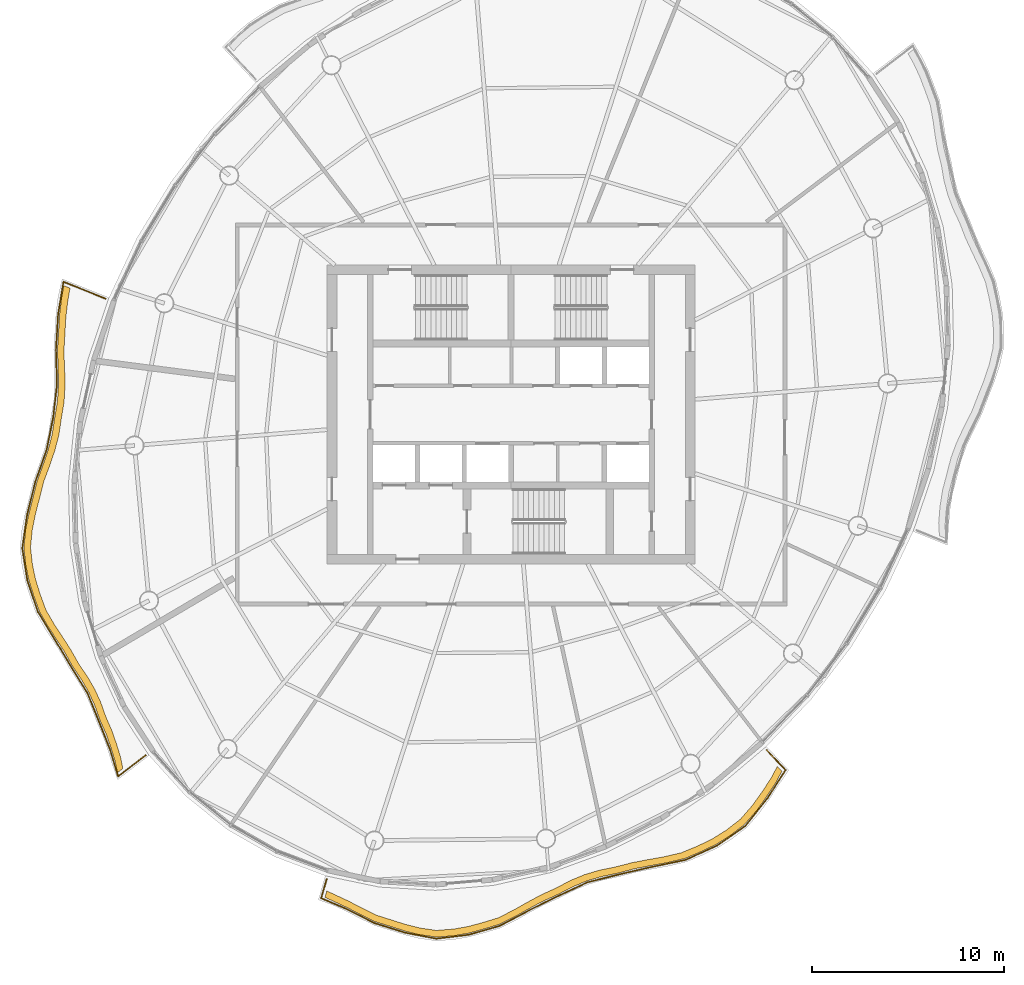
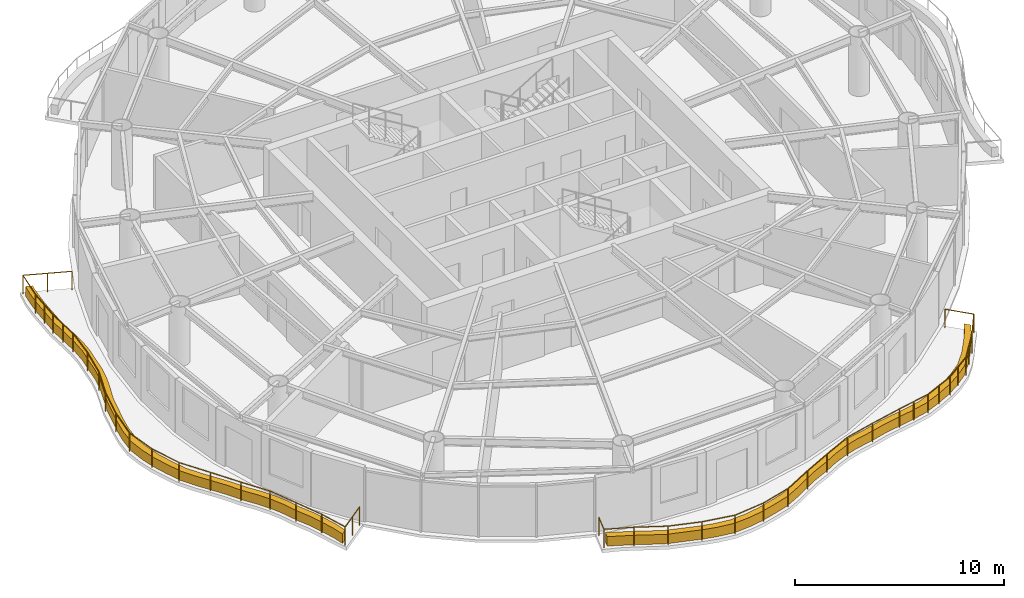
# One storey, part 12 of 14: 2 coverings, 2 railings.
"""IFC4 building model written with IfcOpenShell, lengths in metres."""

from ifc_helpers import new_model, si_unit, direction, frame, origin, origin_2d, place, context, subcontext, project, spatial, polyline, circle, outline, extrude, material, type_object, element, save


model = new_model("IFC4")

# Units and contexts
model_context = context("Model", 3, precision=1e-05, world=origin(), true_north=direction((0.0, 1.0)))
body_context = subcontext(model_context, "Body", "Model", "MODEL_VIEW")
ifc_project = project(units=[si_unit("LENGTHUNIT", "METRE"), si_unit("AREAUNIT", "SQUARE_METRE"), si_unit("VOLUMEUNIT", "CUBIC_METRE"), si_unit("PLANEANGLEUNIT", "RADIAN"), si_unit("MASSUNIT", "GRAM", prefix="KILO")], contexts=[model_context])

# Site, building, storey
site_placement = place(None, origin())
site = spatial("IfcSite", under=ifc_project, at=site_placement, CompositionType="ELEMENT")
building_placement = place(site_placement, origin())
building = spatial("IfcBuilding", under=site, at=building_placement, Name="Vermilion Reach Broadcast Tower", CompositionType="ELEMENT")
storey_placement = place(building_placement, frame((0.0, 0.0, 257.699951171875)))
storey = spatial("IfcBuildingStorey", under=building, at=storey_placement, Name="L63", CompositionType="ELEMENT", Elevation=257.699951171875)

# Coverings
ifc_material_1 = material(Name="Planting soil and greenery")
covering_type = type_object("IfcCoveringType", Name="Balcony PLANTER", PredefinedType="USERDEFINED", material=ifc_material_1)
placement = place(storey_placement, origin())
element("IfcCovering", 1, at=placement, inside=storey, type_object=covering_type, Name="PLANTER L63 group 2", ObjectType="PLANTER", PredefinedType="USERDEFINED", context=body_context, shape_type="SweptSolid", body=[
    extrude(outline(polyline([(-29.35400390625, 6.730712890625), (-29.475341796875, 6.056396484375), (-29.5771484375, 5.199462890625), (-29.627685546875, 4.325439453125), (-29.6875, 3.355224609375), (-29.6494140625, 2.400634765625), (-29.633544921875, 1.547119140625), (-29.68408203125, 0.7080078125), (-29.83154296875, -0.173095703125), (-29.961669921875, -1.039794921875), (-30.16748046875, -1.837646484375), (-30.43896484375, -2.628662109375), (-30.76220703125, -3.51611328125), (-30.981689453125, -4.417724609375), (-31.187255859375, -5.2177734375), (-31.349365234375, -6.01708984375), (-31.44287109375, -6.9697265625), (-31.338134765625, -7.894287109375), (-31.178955078125, -8.65380859375), (-30.9462890625, -9.402099609375), (-30.631591796875, -10.282470703125), (-30.172119140625, -11.0830078125), (-29.738037109375, -11.741943359375), (-29.31201171875, -12.403076171875), (-28.891845703125, -13.159912109375), (-28.42529296875, -13.855224609375), (-28.0546875, -14.49560546875), (-27.748291015625, -15.165283203125), (-27.471435546875, -15.941650390625), (-27.14013671875, -16.687744140625), (-26.895751953125, -17.389404296875), (-26.676513671875, -18.10791015625), (-26.55078125, -18.701904296875), (-26.2734375, -18.488525390625), (-26.383544921875, -17.916259765625), (-26.602783203125, -17.197998046875), (-26.847412109375, -16.49609375), (-27.1650390625, -15.7724609375), (-27.43017578125, -15.01953125), (-27.736572265625, -14.349609375), (-28.107177734375, -13.70947265625), (-28.564208984375, -13.037109375), (-28.9765625, -12.3037109375), (-29.40234375, -11.642578125), (-29.83642578125, -10.98388671875), (-30.2900390625, -10.2060546875), (-30.600341796875, -9.348876953125), (-30.8330078125, -8.600830078125), (-30.9921875, -7.84130859375), (-31.09423828125, -6.938720703125), (-30.999267578125, -6.008544921875), (-30.83740234375, -5.20947265625), (-30.6318359375, -4.4091796875), (-30.41259765625, -3.529052734375), (-30.090576171875, -2.6630859375), (-29.819091796875, -1.871826171875), (-29.61328125, -1.07421875), (-29.48583984375, -0.2275390625), (-29.34228515625, 0.63330078125), (-29.29150390625, 1.472412109375), (-29.3076171875, 2.326171875), (-29.350341796875, 3.261474609375), (-29.29638671875, 4.212646484375), (-29.24560546875, 5.0869140625), (-29.14404296875, 5.94384765625), (-29.029296875, 6.60009765625), (-29.35400390625, 6.730712890625)])), origin(), (0.0, 0.0, 1.0), 0.550048828125),
])
element("IfcCovering", 2, at=placement, inside=storey, type_object=covering_type, Name="PLANTER L63 group 3", ObjectType="PLANTER", PredefinedType="USERDEFINED", context=body_context, shape_type="SweptSolid", body=[
    extrude(outline(polyline([(-15.71728515625, -25.21337890625), (-15.244873046875, -25.429931640625), (-14.5732421875, -25.741943359375), (-13.908935546875, -26.088623046875), (-13.11572265625, -26.478759765625), (-12.2578125, -26.744873046875), (-11.533203125, -26.975341796875), (-10.805908203125, -27.158203125), (-9.90185546875, -27.28955078125), (-8.975830078125, -27.2177734375), (-8.2294921875, -27.087158203125), (-7.48876953125, -26.88916015625), (-6.613525390625, -26.627197265625), (-5.771240234375, -26.2060546875), (-5.06640625, -25.807373046875), (-4.35791015625, -25.42578125), (-3.564453125, -25.06884765625), (-2.7841796875, -24.662353515625), (-2.04931640625, -24.356689453125), (-1.2861328125, -24.129638671875), (-0.42578125, -23.9501953125), (0.45361328125, -23.71875), (1.285400390625, -23.55859375), (2.123046875, -23.40966796875), (3.063232421875, -23.18798828125), (3.96044921875, -22.81201171875), (4.713623046875, -22.444580078125), (5.418701171875, -22.004638671875), (6.185302734375, -21.414794921875), (6.835693359375, -20.66845703125), (7.342041015625, -19.959716796875), (7.825439453125, -19.2236328125), (8.141845703125, -18.62646484375), (7.902099609375, -18.37158203125), (7.599853515625, -18.9560546875), (7.116455078125, -19.692138671875), (6.610107421875, -20.40087890625), (5.97509765625, -21.134765625), (5.224609375, -21.71337890625), (4.51953125, -22.1533203125), (3.766357421875, -22.520751953125), (2.886474609375, -22.885986328125), (1.964111328125, -23.09765625), (1.126708984375, -23.24658203125), (0.294921875, -23.40673828125), (-0.565185546875, -23.629150390625), (-1.40576171875, -23.800537109375), (-2.1689453125, -24.02783203125), (-2.90380859375, -24.333251953125), (-3.662841796875, -24.73291015625), (-4.434326171875, -25.084228515625), (-5.142822265625, -25.4658203125), (-5.84765625, -25.86474609375), (-6.6669921875, -26.28125), (-7.518310546875, -26.54052734375), (-8.25927734375, -26.73828125), (-9.005615234375, -26.869140625), (-9.90673828125, -26.939453125), (-10.785888671875, -26.808837890625), (-11.51318359375, -26.6259765625), (-12.23779296875, -26.3955078125), (-13.069580078125, -26.1318359375), (-13.83740234375, -25.74609375), (-14.50146484375, -25.3994140625), (-15.173095703125, -25.08740234375), (-15.619384765625, -24.87744140625), (-15.71728515625, -25.21337890625)])), origin(), (0.0, 0.0, 1.0), 0.550048828125),
])

# Railings
ifc_material_2 = material(Name="Stainless steel 316 balustrade", Category="steel")
railing_type = type_object("IfcRailingType", Name="Balcony guard 1100", PredefinedType="BALUSTRADE", material=ifc_material_2)
railing_1_placement = place(storey_placement, frame((-27.1748046875, 6.047607421875, 0.0)))
element("IfcRailing", 3, at=railing_1_placement, inside=storey, type_object=railing_type, Name="Balcony guard L63 group 2", PredefinedType="BALUSTRADE", context=body_context, shape_type="SweptSolid", body=[
    extrude(circle(Radius=0.02490234375, at=origin_2d()), frame((0.0, 0.0, 1.0751953125), z_axis=(-0.927699203917, 0.373328524294, 0.0), x_axis=(-0.373328524294, -0.927699203917, 0.0)), (0.0, 0.0, 1.0), 2.36669921875),
    extrude(circle(Radius=0.02490234375, at=origin_2d()), frame((-2.195556640625, 0.883544921875, 1.0751953125), z_axis=(-0.163368518486, -0.986565115523, 0.0), x_axis=(0.986565115523, -0.163368518486, 0.0)), (0.0, 0.0, 1.0), 1.72900390625),
    extrude(circle(Radius=0.02490234375, at=origin_2d()), frame((-2.47802734375, -0.822265625, 1.0751953125), z_axis=(-0.060375658016, -0.998175725972, 0.0), x_axis=(0.998175725972, -0.060375658016, 0.0)), (0.0, 0.0, 1.0), 1.85205078125),
    extrude(circle(Radius=0.02490234375, at=origin_2d()), frame((-2.58984375, -2.6708984375, 1.0751953125), z_axis=(0.029213115915, -0.999573205853, 0.0), x_axis=(0.999573205853, 0.029213115915, 0.0)), (0.0, 0.0, 1.0), 1.8134765625),
    extrude(circle(Radius=0.02490234375, at=origin_2d()), frame((-2.536865234375, -4.483642578125, 1.0751953125), z_axis=(-0.114613432418, -0.993410167609, 0.0), x_axis=(0.993410167609, -0.114613432418, 0.0)), (0.0, 0.0, 1.0), 1.736083984375),
    extrude(circle(Radius=0.02490234375, at=origin_2d()), frame((-2.73583984375, -6.208251953125, 1.0751953125), z_axis=(-0.19757728782, -0.980287312647, 0.0), x_axis=(0.980287312647, -0.19757728782, 0.0)), (0.0, 0.0, 1.0), 1.70263671875),
    extrude(circle(Radius=0.02490234375, at=origin_2d()), frame((-3.072265625, -7.87744140625, 1.0751953125), z_axis=(-0.333363642709, -0.942798325052, 0.0), x_axis=(0.942798325052, -0.333363642709, 0.0)), (0.0, 0.0, 1.0), 1.785400390625),
    extrude(circle(Radius=0.02490234375, at=origin_2d()), frame((-3.66748046875, -9.560791015625, 1.0751953125), z_axis=(-0.241555559887, -0.97038699058, 0.0), x_axis=(0.97038699058, -0.241555559887, 0.0)), (0.0, 0.0, 1.0), 1.758544921875),
    extrude(circle(Radius=0.02490234375, at=origin_2d()), frame((-4.09228515625, -11.267333984375, 1.0751953125), z_axis=(-0.143981470527, -0.989580383872, 0.0), x_axis=(0.989580383872, -0.143981470527, 0.0)), (0.0, 0.0, 1.0), 1.775390625),
    extrude(circle(Radius=0.02490234375, at=origin_2d()), frame((-4.347900390625, -13.024169921875, 1.0751953125), z_axis=(0.154760122879, -0.987952075946, 0.0), x_axis=(0.987952075946, 0.154760122879, 0.0)), (0.0, 0.0, 1.0), 1.7099609375),
    extrude(circle(Radius=0.02490234375, at=origin_2d()), frame((-4.083251953125, -14.713623046875, 1.0751953125), z_axis=(0.318139359295, -0.948043958932, 0.0), x_axis=(0.948043958932, 0.318139359295, 0.0)), (0.0, 0.0, 1.0), 1.7236328125),
    extrude(circle(Radius=0.02490234375, at=origin_2d()), frame((-3.534912109375, -16.34765625, 1.0751953125), z_axis=(0.521444255998, -0.853285349626, 0.0), x_axis=(0.853285349626, 0.521444255998, 0.0)), (0.0, 0.0, 1.0), 1.71630859375),
    extrude(circle(Radius=0.02490234375, at=origin_2d()), frame((-2.639892578125, -17.812255859375, 1.0751953125), z_axis=(0.511784348464, -0.859113950921, 0.0), x_axis=(0.859113950921, 0.511784348464, 0.0)), (0.0, 0.0, 1.0), 1.65673828125),
    extrude(circle(Radius=0.02490234375, at=origin_2d()), frame((-1.7919921875, -19.235595703125, 1.0751953125), z_axis=(0.530609212597, -0.847616578122, 0.0), x_axis=(0.847616578122, 0.530609212597, 0.0)), (0.0, 0.0, 1.0), 1.581787109375),
    extrude(circle(Radius=0.02490234375, at=origin_2d()), frame((-0.95263671875, -20.576416015625, 1.0751953125), z_axis=(0.374346993149, -0.927288697613, 0.0), x_axis=(0.927288697613, 0.374346993149, 0.0)), (0.0, 0.0, 1.0), 1.565185546875),
    extrude(circle(Radius=0.02490234375, at=origin_2d()), frame((-0.36669921875, -22.02783203125, 1.0751953125), z_axis=(0.370125341546, -0.928981825196, 0.0), x_axis=(0.928981825196, 0.370125341546, 0.0)), (0.0, 0.0, 1.0), 1.56396484375),
    extrude(circle(Radius=0.02490234375, at=origin_2d()), frame((0.212158203125, -23.480712890625, 1.0751953125), z_axis=(0.291212245765, -0.95665846984, 0.0), x_axis=(0.95665846984, 0.291212245765, 0.0)), (0.0, 0.0, 1.0), 1.53515625),
    extrude(circle(Radius=0.02490234375, at=origin_2d()), frame((0.6591796875, -24.94921875, 1.0751953125), z_axis=(0.792217010811, 0.610239467571, 0.0), x_axis=(-0.610239467571, 0.792217010811, 0.0)), (0.0, 0.0, 1.0), 1.80712890625),
    extrude(circle(Radius=0.02490234375, at=origin_2d()), origin(), (0.0, 0.0, 1.0), 1.050048828125),
    extrude(circle(Radius=0.02490234375, at=origin_2d()), frame((-1.09765625, 0.44189453125, 0.0)), (0.0, 0.0, 1.0), 1.050048828125),
    extrude(circle(Radius=0.02490234375, at=origin_2d()), frame((-2.195556640625, 0.883544921875, 0.0)), (0.0, 0.0, 1.0), 1.050048828125),
    extrude(circle(Radius=0.02490234375, at=origin_2d()), frame((-2.47802734375, -0.822265625, 0.0)), (0.0, 0.0, 1.0), 1.050048828125),
    extrude(circle(Radius=0.02490234375, at=origin_2d()), frame((-2.533935546875, -1.74658203125, 0.0)), (0.0, 0.0, 1.0), 1.050048828125),
    extrude(circle(Radius=0.02490234375, at=origin_2d()), frame((-2.58984375, -2.6708984375, 0.0)), (0.0, 0.0, 1.0), 1.050048828125),
    extrude(circle(Radius=0.02490234375, at=origin_2d()), frame((-2.5634765625, -3.5771484375, 0.0)), (0.0, 0.0, 1.0), 1.050048828125),
    extrude(circle(Radius=0.02490234375, at=origin_2d()), frame((-2.536865234375, -4.483642578125, 0.0)), (0.0, 0.0, 1.0), 1.050048828125),
    extrude(circle(Radius=0.02490234375, at=origin_2d()), frame((-2.73583984375, -6.208251953125, 0.0)), (0.0, 0.0, 1.0), 1.050048828125),
    extrude(circle(Radius=0.02490234375, at=origin_2d()), frame((-3.072265625, -7.87744140625, 0.0)), (0.0, 0.0, 1.0), 1.050048828125),
    extrude(circle(Radius=0.02490234375, at=origin_2d()), frame((-3.66748046875, -9.560791015625, 0.0)), (0.0, 0.0, 1.0), 1.050048828125),
    extrude(circle(Radius=0.02490234375, at=origin_2d()), frame((-4.09228515625, -11.267333984375, 0.0)), (0.0, 0.0, 1.0), 1.050048828125),
    extrude(circle(Radius=0.02490234375, at=origin_2d()), frame((-4.347900390625, -13.024169921875, 0.0)), (0.0, 0.0, 1.0), 1.050048828125),
    extrude(circle(Radius=0.02490234375, at=origin_2d()), frame((-4.083251953125, -14.713623046875, 0.0)), (0.0, 0.0, 1.0), 1.050048828125),
    extrude(circle(Radius=0.02490234375, at=origin_2d()), frame((-3.534912109375, -16.34765625, 0.0)), (0.0, 0.0, 1.0), 1.050048828125),
    extrude(circle(Radius=0.02490234375, at=origin_2d()), frame((-2.639892578125, -17.812255859375, 0.0)), (0.0, 0.0, 1.0), 1.050048828125),
    extrude(circle(Radius=0.02490234375, at=origin_2d()), frame((-1.7919921875, -19.235595703125, 0.0)), (0.0, 0.0, 1.0), 1.050048828125),
    extrude(circle(Radius=0.02490234375, at=origin_2d()), frame((-0.95263671875, -20.576416015625, 0.0)), (0.0, 0.0, 1.0), 1.050048828125),
    extrude(circle(Radius=0.02490234375, at=origin_2d()), frame((-0.36669921875, -22.02783203125, 0.0)), (0.0, 0.0, 1.0), 1.050048828125),
    extrude(circle(Radius=0.02490234375, at=origin_2d()), frame((0.212158203125, -23.480712890625, 0.0)), (0.0, 0.0, 1.0), 1.050048828125),
    extrude(circle(Radius=0.02490234375, at=origin_2d()), frame((0.6591796875, -24.94921875, 0.0)), (0.0, 0.0, 1.0), 1.050048828125),
    extrude(circle(Radius=0.02490234375, at=origin_2d()), frame((1.375, -24.39794921875, 0.0)), (0.0, 0.0, 1.0), 1.050048828125),
    extrude(circle(Radius=0.02490234375, at=origin_2d()), frame((2.0908203125, -23.846435546875, 0.0)), (0.0, 0.0, 1.0), 1.050048828125),
])
railing_2_placement = place(storey_placement, frame((-15.625244140625, -24.256103515625, 0.0)))
element("IfcRailing", 4, at=railing_2_placement, inside=storey, type_object=railing_type, Name="Balcony guard L63 group 3", PredefinedType="BALUSTRADE", context=body_context, shape_type="SweptSolid", body=[
    extrude(circle(Radius=0.02490234375, at=origin_2d()), frame((0.0, 0.0, 1.0751953125), z_axis=(-0.279684106322, -0.960092079267, 0.0), x_axis=(0.960092079267, -0.279684106322, 0.0)), (0.0, 0.0, 1.0), 1.038818359375),
    extrude(circle(Radius=0.02490234375, at=origin_2d()), frame((-0.29052734375, -0.997314453125, 1.0751953125), z_axis=(0.919512369073, -0.393061067929, 0.0), x_axis=(0.393061067929, 0.919512369073, 0.0)), (0.0, 0.0, 1.0), 1.442138671875),
    extrude(circle(Radius=0.02490234375, at=origin_2d()), frame((1.03564453125, -1.564208984375, 1.0751953125), z_axis=(0.892932518046, -0.450190535458, 0.0), x_axis=(0.450190535458, 0.892932518046, 0.0)), (0.0, 0.0, 1.0), 1.638916015625),
    extrude(circle(Radius=0.02490234375, at=origin_2d()), frame((2.4990234375, -2.302001953125, 1.0751953125), z_axis=(0.954318016734, -0.298792775912, 0.0), x_axis=(0.298792775912, 0.954318016734, 0.0)), (0.0, 0.0, 1.0), 1.664306640625),
    extrude(circle(Radius=0.02490234375, at=origin_2d()), frame((4.08740234375, -2.79931640625, 1.0751953125), z_axis=(0.982077407724, -0.188478023224, 0.0), x_axis=(0.188478023224, 0.982077407724, 0.0)), (0.0, 0.0, 1.0), 1.6669921875),
    extrude(circle(Radius=0.02490234375, at=origin_2d()), frame((5.724609375, -3.113525390625, 1.0751953125), z_axis=(0.992769815958, 0.120033714108, 0.0), x_axis=(-0.120033714108, 0.992769815958, 0.0)), (0.0, 0.0, 1.0), 1.690185546875),
    extrude(circle(Radius=0.02490234375, at=origin_2d()), frame((7.402587890625, -2.91064453125, 1.0751953125), z_axis=(0.961911119911, 0.273362392059, 0.0), x_axis=(-0.273362392059, 0.961911119911, 0.0)), (0.0, 0.0, 1.0), 1.685302734375),
    extrude(circle(Radius=0.02490234375, at=origin_2d()), frame((9.023681640625, -2.449951171875, 1.0751953125), z_axis=(0.884135960642, 0.467229711276, 0.0), x_axis=(-0.467229711276, 0.884135960642, 0.0)), (0.0, 0.0, 1.0), 1.756103515625),
    extrude(circle(Radius=0.02490234375, at=origin_2d()), frame((10.576416015625, -1.62939453125, 1.0751953125), z_axis=(0.897661334118, 0.440685975758, 0.0), x_axis=(-0.440685975758, 0.897661334118, 0.0)), (0.0, 0.0, 1.0), 1.6787109375),
    extrude(circle(Radius=0.02490234375, at=origin_2d()), frame((12.083251953125, -0.8896484375, 1.0751953125), z_axis=(0.905147908787, 0.425096769241, 0.0), x_axis=(-0.425096769241, 0.905147908787, 0.0)), (0.0, 0.0, 1.0), 1.67919921875),
    extrude(circle(Radius=0.02490234375, at=origin_2d()), frame((13.603271484375, -0.17578125, 1.0751953125), z_axis=(0.969971121484, 0.243220113246, 0.0), x_axis=(-0.243220113246, 0.969971121484, 0.0)), (0.0, 0.0, 1.0), 1.67822265625),
    extrude(circle(Radius=0.02490234375, at=origin_2d()), frame((15.231201171875, 0.232421875, 1.0751953125), z_axis=(0.974659293885, 0.223694570438, 0.0), x_axis=(-0.223694570438, 0.974659293885, 0.0)), (0.0, 0.0, 1.0), 1.760498046875),
    extrude(circle(Radius=0.02490234375, at=origin_2d()), frame((16.947021484375, 0.626220703125, 1.0751953125), z_axis=(0.978809381511, 0.204773520423, 0.0), x_axis=(-0.204773520423, 0.978809381511, 0.0)), (0.0, 0.0, 1.0), 1.820556640625),
    extrude(circle(Radius=0.02490234375, at=origin_2d()), frame((18.72900390625, 0.9990234375, 1.0751953125), z_axis=(0.911629262574, 0.411013488365, 0.0), x_axis=(-0.411013488365, 0.911629262574, 0.0)), (0.0, 0.0, 1.0), 1.814697265625),
    extrude(circle(Radius=0.02490234375, at=origin_2d()), frame((20.38330078125, 1.744873046875, 1.0751953125), z_axis=(0.819257400414, 0.573425942792, 0.0), x_axis=(-0.573425942792, 0.819257400414, 0.0)), (0.0, 0.0, 1.0), 1.800537109375),
    extrude(circle(Radius=0.02490234375, at=origin_2d()), frame((21.8583984375, 2.77734375, 1.0751953125), z_axis=(0.622727801475, 0.782438550475, 0.0), x_axis=(-0.782438550475, 0.622727801475, 0.0)), (0.0, 0.0, 1.0), 1.863525390625),
    extrude(circle(Radius=0.02490234375, at=origin_2d()), frame((23.018798828125, 4.2353515625, 1.0751953125), z_axis=(0.543777694213, 0.839229300773, 0.0), x_axis=(-0.839229300773, 0.543777694213, 0.0)), (0.0, 0.0, 1.0), 1.730224609375),
    extrude(circle(Radius=0.02490234375, at=origin_2d()), frame((23.959716796875, 5.6875, 1.0751953125), z_axis=(-0.685565120697, 0.728011308486, 0.0), x_axis=(-0.728011308486, -0.685565120697, 0.0)), (0.0, 0.0, 1.0), 1.443603515625),
    extrude(circle(Radius=0.02490234375, at=origin_2d()), origin(), (0.0, 0.0, 1.0), 1.050048828125),
    extrude(circle(Radius=0.02490234375, at=origin_2d()), frame((-0.29052734375, -0.997314453125, 0.0)), (0.0, 0.0, 1.0), 1.050048828125),
    extrude(circle(Radius=0.02490234375, at=origin_2d()), frame((1.03564453125, -1.564208984375, 0.0)), (0.0, 0.0, 1.0), 1.050048828125),
    extrude(circle(Radius=0.02490234375, at=origin_2d()), frame((2.4990234375, -2.302001953125, 0.0)), (0.0, 0.0, 1.0), 1.050048828125),
    extrude(circle(Radius=0.02490234375, at=origin_2d()), frame((4.08740234375, -2.79931640625, 0.0)), (0.0, 0.0, 1.0), 1.050048828125),
    extrude(circle(Radius=0.02490234375, at=origin_2d()), frame((5.724609375, -3.113525390625, 0.0)), (0.0, 0.0, 1.0), 1.050048828125),
    extrude(circle(Radius=0.02490234375, at=origin_2d()), frame((7.402587890625, -2.91064453125, 0.0)), (0.0, 0.0, 1.0), 1.050048828125),
    extrude(circle(Radius=0.02490234375, at=origin_2d()), frame((9.023681640625, -2.449951171875, 0.0)), (0.0, 0.0, 1.0), 1.050048828125),
    extrude(circle(Radius=0.02490234375, at=origin_2d()), frame((10.576416015625, -1.62939453125, 0.0)), (0.0, 0.0, 1.0), 1.050048828125),
    extrude(circle(Radius=0.02490234375, at=origin_2d()), frame((12.083251953125, -0.8896484375, 0.0)), (0.0, 0.0, 1.0), 1.050048828125),
    extrude(circle(Radius=0.02490234375, at=origin_2d()), frame((13.603271484375, -0.17578125, 0.0)), (0.0, 0.0, 1.0), 1.050048828125),
    extrude(circle(Radius=0.02490234375, at=origin_2d()), frame((15.231201171875, 0.232421875, 0.0)), (0.0, 0.0, 1.0), 1.050048828125),
    extrude(circle(Radius=0.02490234375, at=origin_2d()), frame((16.947021484375, 0.626220703125, 0.0)), (0.0, 0.0, 1.0), 1.050048828125),
    extrude(circle(Radius=0.02490234375, at=origin_2d()), frame((17.837890625, 0.8125, 0.0)), (0.0, 0.0, 1.0), 1.050048828125),
    extrude(circle(Radius=0.02490234375, at=origin_2d()), frame((18.72900390625, 0.9990234375, 0.0)), (0.0, 0.0, 1.0), 1.050048828125),
    extrude(circle(Radius=0.02490234375, at=origin_2d()), frame((19.55615234375, 1.3720703125, 0.0)), (0.0, 0.0, 1.0), 1.050048828125),
    extrude(circle(Radius=0.02490234375, at=origin_2d()), frame((20.38330078125, 1.744873046875, 0.0)), (0.0, 0.0, 1.0), 1.050048828125),
    extrude(circle(Radius=0.02490234375, at=origin_2d()), frame((21.120849609375, 2.26123046875, 0.0)), (0.0, 0.0, 1.0), 1.050048828125),
    extrude(circle(Radius=0.02490234375, at=origin_2d()), frame((21.8583984375, 2.77734375, 0.0)), (0.0, 0.0, 1.0), 1.050048828125),
    extrude(circle(Radius=0.02490234375, at=origin_2d()), frame((22.4384765625, 3.50634765625, 0.0)), (0.0, 0.0, 1.0), 1.050048828125),
    extrude(circle(Radius=0.02490234375, at=origin_2d()), frame((23.018798828125, 4.2353515625, 0.0)), (0.0, 0.0, 1.0), 1.050048828125),
    extrude(circle(Radius=0.02490234375, at=origin_2d()), frame((23.959716796875, 5.6875, 0.0)), (0.0, 0.0, 1.0), 1.050048828125),
    extrude(circle(Radius=0.02490234375, at=origin_2d()), frame((22.969970703125, 6.738525390625, 0.0)), (0.0, 0.0, 1.0), 1.050048828125),
])

save(model, "model.ifc")
